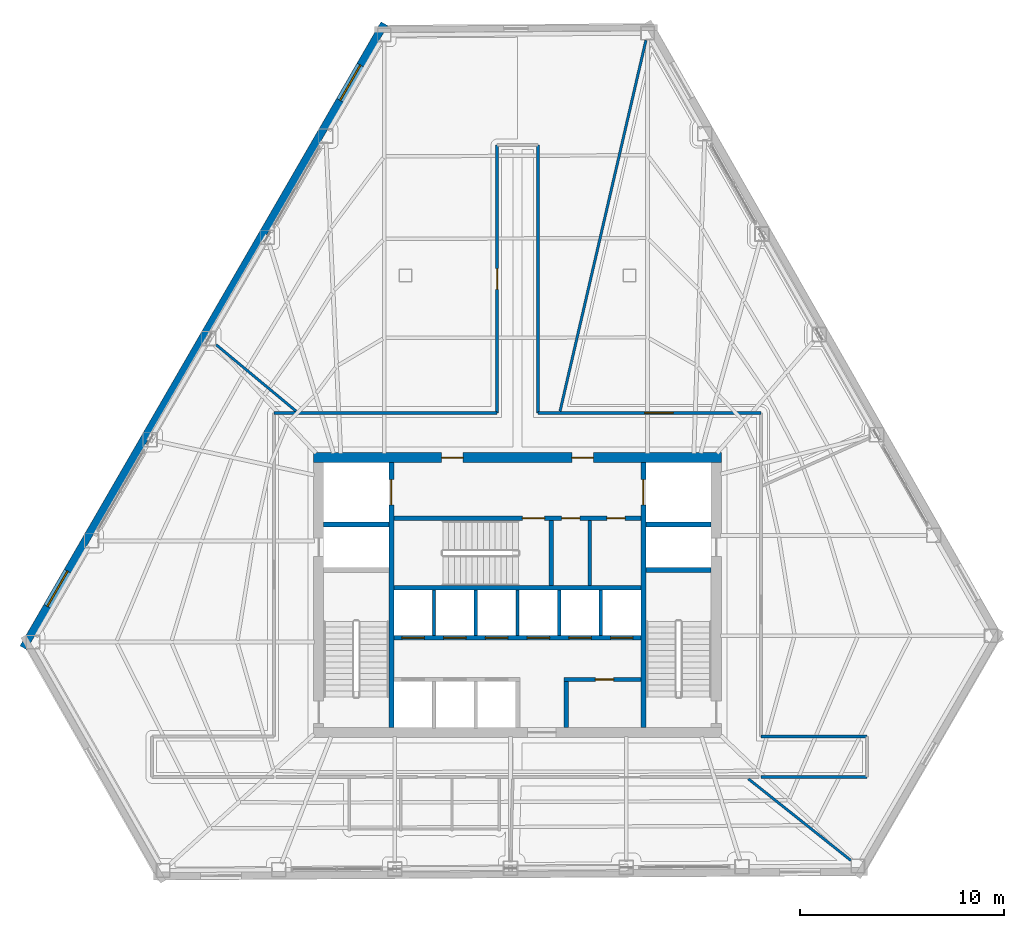
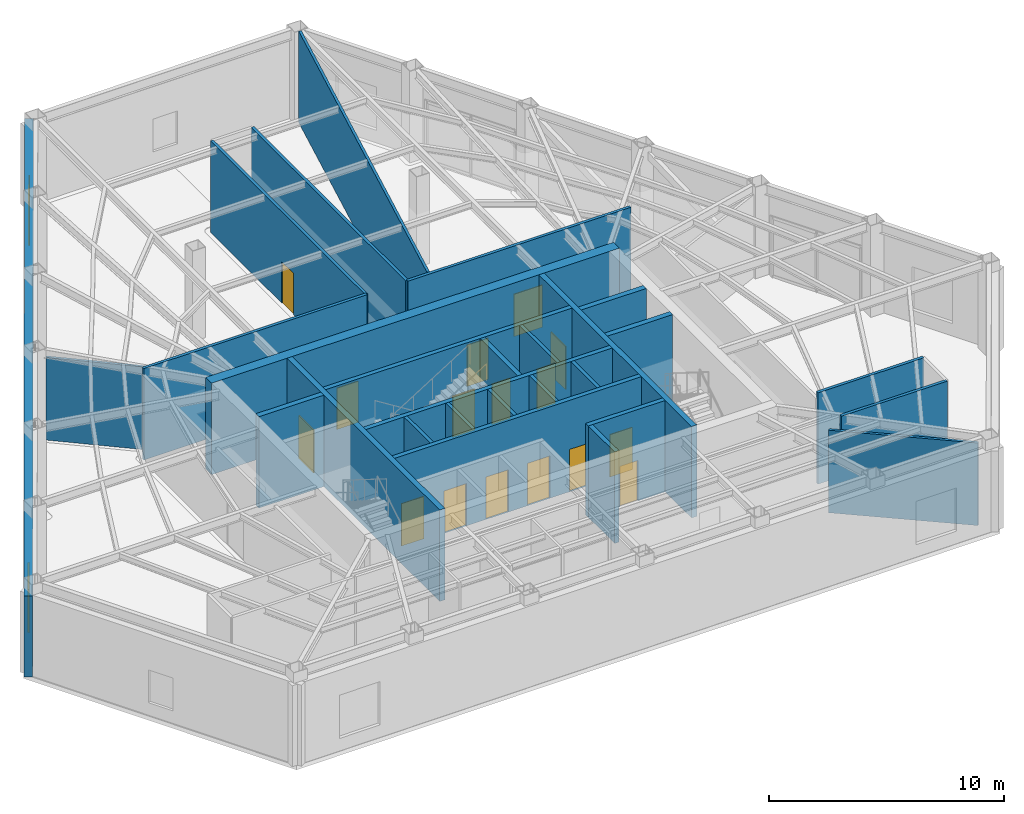
# One storey, part 10 of 14: 28 walls, 16 doors, 2 windows, 18 openings.
"""IFC4 building model written with IfcOpenShell, lengths in metres."""

from ifc_helpers import new_model, si_unit, direction, frame, frame_2d, origin, place, context, subcontext, project, spatial, rectangle, extrude, material, layer, layer_set, type_object, element, fill, save


model = new_model("IFC4")

# Units and contexts
model_context = context("Model", 3, precision=1e-05, world=origin(), true_north=direction((0.0, 1.0)))
body_context = subcontext(model_context, "Body", "Model", "MODEL_VIEW")
ifc_project = project(units=[si_unit("LENGTHUNIT", "METRE"), si_unit("AREAUNIT", "SQUARE_METRE"), si_unit("VOLUMEUNIT", "CUBIC_METRE"), si_unit("PLANEANGLEUNIT", "RADIAN"), si_unit("MASSUNIT", "GRAM", prefix="KILO")], contexts=[model_context])

# Site, building, storey
site_placement = place(None, origin())
site = spatial("IfcSite", under=ifc_project, at=site_placement, CompositionType="ELEMENT")
building_placement = place(site_placement, origin())
building = spatial("IfcBuilding", under=site, at=building_placement, Name="Kavelnor Concourse Tower", CompositionType="ELEMENT")
storey_placement = place(building_placement, frame((0.0, 0.0, 80.5)))
storey = spatial("IfcBuildingStorey", under=building, at=storey_placement, Name="L20", CompositionType="ELEMENT", Elevation=80.5)

# Wall, openings, doors
ifc_material_1 = material(Name="Concrete C60/75", Category="concrete")
ifc_layer_1 = layer(ifc_material_1, 0.5, Name="Concrete C60/75")
ifc_layer_set_1 = layer_set([ifc_layer_1], Name="Concrete C60/75")
wall_type_1 = type_object("IfcWallType", Name="WL-CORE-Z2-500", PredefinedType="SOLIDWALL", material=ifc_layer_set_1)
wall_1_placement = place(storey_placement, frame((27.97998046875, 22.85009765625, 0.0), z_axis=(0.0, 0.0, 1.0), x_axis=(1.0, 0.0, 0.0)))
wall_1 = element("IfcWall", 1, at=wall_1_placement, inside=storey, type_object=wall_type_1, Name="L20 Central Core North Shear Wall", PredefinedType="SOLIDWALL", context=body_context, shape_type="SweptSolid", body=[
    extrude(rectangle(XDim=20.0400390625, YDim=0.5, at=frame_2d((10.02001953125, 0.0))), origin(), (0.0, 0.0, 1.0), 4.75),
])
opening_1_placement = place(wall_1_placement, frame((6.294921875, 0.0, 0.0)))
opening_1 = element("IfcOpeningElement", 2, at=opening_1_placement, cuts=wall_1, Name="Opening FD-105", PredefinedType="OPENING", context=body_context, shape_type="SweptSolid", body=[
    extrude(rectangle(XDim=1.050048828125, YDim=2.14990234375, at=frame_2d((0.52490234375, 1.074951171875))), frame((0.0, 0.260009765625, 0.0), z_axis=(0.0, -1.0, 0.0), x_axis=(1.0, 0.0, 0.0)), (0.0, 0.0, 1.0), 0.52001953125),
])
opening_2_placement = place(wall_1_placement, frame((12.695068359375, 0.0, 0.0)))
opening_2 = element("IfcOpeningElement", 3, at=opening_2_placement, cuts=wall_1, Name="Opening FD-105", PredefinedType="OPENING", context=body_context, shape_type="SweptSolid", body=[
    extrude(rectangle(XDim=1.050048828125, YDim=2.14990234375, at=frame_2d((0.52490234375, 1.074951171875))), frame((0.0, 0.260009765625, 0.0), z_axis=(0.0, -1.0, 0.0), x_axis=(1.0, 0.0, 0.0)), (0.0, 0.0, 1.0), 0.52001953125),
])
ifc_material_2 = material(Name="Steel Grade 350", Category="steel")
door_type_1 = type_object("IfcDoorType", Name="DR-LOBBY-FIRE-1050", OperationType="NOTDEFINED", PredefinedType="DOOR", material=ifc_material_2)
door_1_placement = place(opening_1_placement, origin())
door_1 = element("IfcDoor", 4, at=door_1_placement, inside=storey, type_object=door_type_1, Name="L20 Emergency Lift Lobby West Door", OperationType="SINGLE_SWING_LEFT", OverallHeight=2.14990234375, OverallWidth=1.050048828125, PredefinedType="DOOR", context=body_context, shape_type="SweptSolid", body=[
    extrude(rectangle(XDim=1.050048828125, YDim=2.14990234375, at=frame_2d((0.52490234375, 1.074951171875))), frame((0.0, 0.02490234375, 0.0), z_axis=(0.0, -1.0, 0.0), x_axis=(1.0, 0.0, 0.0)), (0.0, 0.0, 1.0), 0.050048828125),
])
fill(opening_1, door_1)
door_2_placement = place(opening_2_placement, origin())
door_2 = element("IfcDoor", 5, at=door_2_placement, inside=storey, type_object=door_type_1, Name="L20 Emergency Lift Lobby East Door", OperationType="SINGLE_SWING_RIGHT", OverallHeight=2.14990234375, OverallWidth=1.050048828125, PredefinedType="DOOR", context=body_context, shape_type="SweptSolid", body=[
    extrude(rectangle(XDim=1.050048828125, YDim=2.14990234375, at=frame_2d((0.52490234375, 1.074951171875))), frame((0.0, 0.02490234375, 0.0), z_axis=(0.0, -1.0, 0.0), x_axis=(1.0, 0.0, 0.0)), (0.0, 0.0, 1.0), 0.050048828125),
])
fill(opening_2, door_2)

# Wall, openings, windows
ifc_material_3 = material(Name="Red-ochre clay face brick masonry", Category="masonry")
ifc_layer_2 = layer(ifc_material_3, 0.3798828125, Name="Red-ochre clay face brick masonry")
ifc_layer_set_2 = layer_set([ifc_layer_2], Name="Red-ochre clay face brick masonry")
wall_type_2 = type_object("IfcWallType", Name="WL-EXT-RED-BRICK-PIER-380", PredefinedType="STANDARD", material=ifc_layer_set_2)
wall_2_placement = place(storey_placement, frame((13.7236328125, 13.509521484375, 0.0), z_axis=(0.0, 0.0, 1.0), x_axis=(0.500779221595, 0.865575052331, 0.0)))
wall_2 = element("IfcWall", 6, at=wall_2_placement, inside=storey, type_object=wall_type_2, Name="L20 Exterior Brick Facade Wall E1", PredefinedType="STANDARD", context=body_context, shape_type="SweptSolid", body=[
    extrude(rectangle(XDim=35.4208984375, YDim=0.3798828125, at=frame_2d((17.71044921875, 0.0))), origin(), (0.0, 0.0, 1.0), 4.208984375),
])
opening_3_placement = place(wall_2_placement, frame((31.073486328125, 0.0, 0.64990234375)))
opening_3 = element("IfcOpeningElement", 7, at=opening_3_placement, cuts=wall_2, Name="Opening W-07", PredefinedType="OPENING", context=body_context, shape_type="SweptSolid", body=[
    extrude(rectangle(XDim=2.0, YDim=2.25, at=frame_2d((1.0, 1.125))), frame((0.0, 0.199951171875, 0.0), z_axis=(0.0, -1.0, 0.0), x_axis=(1.0, 0.0, 0.0)), (0.0, 0.0, 1.0), 0.39990234375),
])
opening_4_placement = place(wall_2_placement, frame((2.34814453125, 0.0, 0.64990234375)))
opening_4 = element("IfcOpeningElement", 8, at=opening_4_placement, cuts=wall_2, Name="Opening W-07", PredefinedType="OPENING", context=body_context, shape_type="SweptSolid", body=[
    extrude(rectangle(XDim=2.0, YDim=2.25, at=frame_2d((1.0, 1.125))), frame((0.0, 0.199951171875, 0.0), z_axis=(0.0, -1.0, 0.0), x_axis=(1.0, 0.0, 0.0)), (0.0, 0.0, 1.0), 0.39990234375),
])
ifc_material_4 = material(Name="Double low-E argon insulated glazing", Category="glass")
window_type = type_object("IfcWindowType", Name="WIN-SKYLOBBY-2200", PartitioningType="SINGLE_PANEL", PredefinedType="WINDOW", material=ifc_material_4)
window_1_placement = place(opening_3_placement, origin())
window_1 = element("IfcWindow", 9, at=window_1_placement, inside=storey, type_object=window_type, Name="L20 Deep-Set Brick Pier Window F0-B0", OverallHeight=2.25, OverallWidth=2.0, PartitioningType="SINGLE_PANEL", PredefinedType="WINDOW", context=body_context, shape_type="SweptSolid", body=[
    extrude(rectangle(XDim=2.0, YDim=2.25, at=frame_2d((1.0, 1.125))), frame((0.0, 0.030029296875, 0.0), z_axis=(0.0, -1.0, 0.0), x_axis=(1.0, 0.0, 0.0)), (0.0, 0.0, 1.0), 0.06005859375),
])
fill(opening_3, window_1)
window_2_placement = place(opening_4_placement, origin())
window_2 = element("IfcWindow", 10, at=window_2_placement, inside=storey, type_object=window_type, Name="L20 Deep-Set Brick Pier Window F0-B5", OverallHeight=2.25, OverallWidth=2.0, PartitioningType="SINGLE_PANEL", PredefinedType="WINDOW", context=body_context, shape_type="SweptSolid", body=[
    extrude(rectangle(XDim=2.0, YDim=2.25, at=frame_2d((1.0, 1.125))), frame((0.0, 0.030029296875, 0.0), z_axis=(0.0, -1.0, 0.0), x_axis=(1.0, 0.0, 0.0)), (0.0, 0.0, 1.0), 0.06005859375),
])
fill(opening_4, window_2)

# Wall
ifc_material_5 = material(Name="Gypsum plasterboard on light-gauge steel studs", Category="steel")
ifc_layer_3 = layer(ifc_material_5, 0.14501953125, Name="Gypsum plasterboard on light-gauge steel studs")
ifc_layer_set_3 = layer_set([ifc_layer_3], Name="Gypsum plasterboard on light-gauge steel studs")
wall_type_3 = type_object("IfcWallType", Name="WL-INT-CORR-145", PredefinedType="PARTITIONING", material=ifc_layer_set_3)
wall_3_placement = place(storey_placement, frame((26.030029296875, 25.050048828125, 0.0), z_axis=(0.0, 0.0, 1.0), x_axis=(1.0, 0.0, 0.0)))
element("IfcWall", 11, at=wall_3_placement, inside=storey, type_object=wall_type_3, Name="L20 Corridor Wall WL-L20-CR-03", PredefinedType="PARTITIONING", context=body_context, shape_type="SweptSolid", body=[
    extrude(rectangle(XDim=10.969970703125, YDim=0.14501953125, at=frame_2d((5.48486328125, 0.0))), origin(), (0.0, 0.0, 1.0), 4.75),
])

# Wall, opening, door
wall_4_placement = place(storey_placement, frame((37.0, 25.050048828125, 0.0), z_axis=(0.0, 0.0, 1.0), x_axis=(0.0, 1.0, 0.0)))
wall_4 = element("IfcWall", 12, at=wall_4_placement, inside=storey, type_object=wall_type_3, Name="L20 Corridor Wall WL-L20-CR-04", PredefinedType="PARTITIONING", context=body_context, shape_type="SweptSolid", body=[
    extrude(rectangle(XDim=13.14990234375, YDim=0.14501953125, at=frame_2d((6.574951171875, 0.0))), origin(), (0.0, 0.0, 1.0), 4.75),
])
opening_5_placement = place(wall_4_placement, frame((6.06494140625, 0.0, 0.0)))
opening_5 = element("IfcOpeningElement", 13, at=opening_5_placement, cuts=wall_4, Name="Opening MD-102", PredefinedType="OPENING", context=body_context, shape_type="SweptSolid", body=[
    extrude(rectangle(XDim=1.02001953125, YDim=2.14990234375, at=frame_2d((0.510009765625, 1.074951171875))), frame((0.0, 0.08251953125, 0.0), z_axis=(0.0, -1.0, 0.0), x_axis=(1.0, 0.0, 0.0)), (0.0, 0.0, 1.0), 0.1650390625),
])
ifc_material_6 = material(Name="Acoustic glazed timber frame", Category="wood")
door_type_2 = type_object("IfcDoorType", Name="DR-MEETING-1020", OperationType="NOTDEFINED", PredefinedType="DOOR", material=ifc_material_6)
door_3_placement = place(opening_5_placement, origin())
door_3 = element("IfcDoor", 14, at=door_3_placement, inside=storey, type_object=door_type_2, Name="L20 Sky Conference Meeting Suite 02 Door", OperationType="SINGLE_SWING_LEFT", OverallHeight=2.14990234375, OverallWidth=1.02001953125, PredefinedType="DOOR", context=body_context, shape_type="SweptSolid", body=[
    extrude(rectangle(XDim=1.02001953125, YDim=2.14990234375, at=frame_2d((0.510009765625, 1.074951171875))), frame((0.0, 0.02490234375, 0.0), z_axis=(0.0, -1.0, 0.0), x_axis=(1.0, 0.0, 0.0)), (0.0, 0.0, 1.0), 0.050048828125),
])
fill(opening_5, door_3)

# Wall
wall_5_placement = place(storey_placement, frame((39.0, 38.199951171875, 0.0), z_axis=(0.0, 0.0, 1.0), x_axis=(0.0, -1.0, 0.0)))
element("IfcWall", 15, at=wall_5_placement, inside=storey, type_object=wall_type_3, Name="L20 Corridor Wall WL-L20-CR-06", PredefinedType="PARTITIONING", context=body_context, shape_type="SweptSolid", body=[
    extrude(rectangle(XDim=13.14990234375, YDim=0.14501953125, at=frame_2d((6.574951171875, 0.0))), origin(), (0.0, 0.0, 1.0), 4.75),
])

# Wall, opening, door
wall_6_placement = place(storey_placement, frame((39.0, 25.050048828125, 0.0), z_axis=(0.0, 0.0, 1.0), x_axis=(1.0, 0.0, 0.0)))
wall_6 = element("IfcWall", 16, at=wall_6_placement, inside=storey, type_object=wall_type_3, Name="L20 Corridor Wall WL-L20-CR-07", PredefinedType="PARTITIONING", context=body_context, shape_type="SweptSolid", body=[
    extrude(rectangle(XDim=10.969970703125, YDim=0.14501953125, at=frame_2d((5.48486328125, 0.0))), origin(), (0.0, 0.0, 1.0), 4.75),
])
opening_6_placement = place(wall_6_placement, frame((5.24609375, 0.0, 0.0)))
opening_6 = element("IfcOpeningElement", 17, at=opening_6_placement, cuts=wall_6, Name="Opening SD-140", PredefinedType="OPENING", context=body_context, shape_type="SweptSolid", body=[
    extrude(rectangle(XDim=1.39990234375, YDim=2.199951171875, at=frame_2d((0.699951171875, 1.10009765625))), frame((0.0, 0.08251953125, 0.0), z_axis=(0.0, -1.0, 0.0), x_axis=(1.0, 0.0, 0.0)), (0.0, 0.0, 1.0), 0.1650390625),
])
ifc_material_7 = material(Name="Solid-core hardwood timber", Category="wood")
door_type_3 = type_object("IfcDoorType", Name="DR-SUITE-ENTRY-1400", OperationType="NOTDEFINED", PredefinedType="DOOR", material=ifc_material_7)
door_4_placement = place(opening_6_placement, origin())
door_4 = element("IfcDoor", 18, at=door_4_placement, inside=storey, type_object=door_type_3, Name="L20 Sky Lobby Reception Foyer 01 Door", OperationType="SINGLE_SWING_RIGHT", OverallHeight=2.199951171875, OverallWidth=1.39990234375, PredefinedType="DOOR", context=body_context, shape_type="SweptSolid", body=[
    extrude(rectangle(XDim=1.39990234375, YDim=2.199951171875, at=frame_2d((0.699951171875, 1.10009765625))), frame((0.0, 0.02490234375, 0.0), z_axis=(0.0, -1.0, 0.0), x_axis=(1.0, 0.0, 0.0)), (0.0, 0.0, 1.0), 0.050048828125),
])
fill(opening_6, door_4)

# Walls
for number, where, z_axis, x_axis, name in (
    (19, (49.969970703125, 9.14990234375, 0.0), (0.0, 0.0, 1.0), (1.0, 0.0, 0.0), "L20 Corridor Wall WL-L20-CR-09"),
    (20, (55.181884765625, 7.14990234375, 0.0), (0.0, 0.0, 1.0), (-1.0, 0.0, 0.0), "L20 Corridor Wall WL-L20-CR-11"),
):
    element("IfcWall", number, at=place(storey_placement, frame(where, z_axis=z_axis, x_axis=x_axis)), inside=storey, type_object=wall_type_3, Name=name, PredefinedType="PARTITIONING", context=body_context, shape_type="SweptSolid", body=[
        extrude(rectangle(XDim=5.2119140625, YDim=0.14501953125, at=frame_2d((2.60595703125, 0.0))), origin(), (0.0, 0.0, 1.0), 4.75),
    ])
ifc_layer_4 = layer(ifc_material_5, 0.1650390625, Name="Gypsum plasterboard on light-gauge steel studs")
ifc_layer_set_4 = layer_set([ifc_layer_4], Name="Gypsum plasterboard on light-gauge steel studs")
wall_type_4 = type_object("IfcWallType", Name="WL-INT-FIRE-165", PredefinedType="PARTITIONING", material=ifc_layer_set_4)
for number, where, z_axis, x_axis, name in (
    (21, (33.89990234375, 14.10009765625, 0.0), (0.0, 0.0, 1.0), (0.0, 1.0, 0.0), "L20 Lift Shaft Divider LP1"),
    (22, (35.949951171875, 14.10009765625, 0.0), (0.0, 0.0, 1.0), (0.0, 1.0, 0.0), "L20 Lift Shaft Divider LP2"),
    (23, (38.0, 14.10009765625, 0.0), (0.0, 0.0, 1.0), (0.0, 1.0, 0.0), "L20 Lift Shaft Divider LP3"),
    (24, (40.050048828125, 14.10009765625, 0.0), (0.0, 0.0, 1.0), (0.0, 1.0, 0.0), "L20 Lift Shaft Divider LP4"),
    (25, (42.10009765625, 14.10009765625, 0.0), (0.0, 0.0, 1.0), (0.0, 1.0, 0.0), "L20 Lift Shaft Divider LP5"),
):
    element("IfcWall", number, at=place(storey_placement, frame(where, z_axis=z_axis, x_axis=x_axis)), inside=storey, type_object=wall_type_4, Name=name, PredefinedType="PARTITIONING", context=body_context, shape_type="SweptSolid", body=[
        extrude(rectangle(XDim=2.239990234375, YDim=0.1650390625, at=frame_2d((1.1201171875, 0.0))), origin(), (0.0, 0.0, 1.0), 4.75),
    ])
wall_7_placement = place(storey_placement, frame((41.550048828125, 16.56005859375, 0.0), z_axis=(0.0, 0.0, 1.0), x_axis=(0.0, 1.0, 0.0)))
element("IfcWall", 26, at=wall_7_placement, inside=storey, type_object=wall_type_4, Name="L20 Core North Support Divider", PredefinedType="PARTITIONING", context=body_context, shape_type="SweptSolid", body=[
    extrude(rectangle(XDim=3.199951171875, YDim=0.1650390625, at=frame_2d((1.60009765625, 0.0))), origin(), (0.0, 0.0, 1.0), 4.75),
])
ifc_layer_5 = layer(ifc_material_5, 0.125, Name="Gypsum plasterboard on light-gauge steel studs")
ifc_layer_set_5 = layer_set([ifc_layer_5], Name="Gypsum plasterboard on light-gauge steel studs")
wall_type_5 = type_object("IfcWallType", Name="WL-INT-SUITE-125", PredefinedType="PARTITIONING", material=ifc_layer_set_5)
wall_8_placement = place(storey_placement, frame((40.091064453125, 25.130615234375, 0.0), z_axis=(0.0, 0.0, 1.0), x_axis=(0.225578020125, 0.974225105834, 0.0)))
element("IfcWall", 27, at=wall_8_placement, inside=storey, type_object=wall_type_5, Name="L20 Radial Suite Partition 02", PredefinedType="PARTITIONING", context=body_context, shape_type="SweptSolid", body=[
    extrude(rectangle(XDim=18.70947265625, YDim=0.125, at=frame_2d((9.354736328125, 0.0))), origin(), (0.0, 0.0, 1.0), 4.75),
])
wall_9_placement = place(storey_placement, frame((27.12890625, 25.130615234375, 0.0), z_axis=(0.0, 0.0, 1.0), x_axis=(-0.769233686847, 0.638967553964, 0.0)))
element("IfcWall", 28, at=wall_9_placement, inside=storey, type_object=wall_type_5, Name="L20 Radial Suite Partition 03", PredefinedType="PARTITIONING", context=body_context, shape_type="SweptSolid", body=[
    extrude(rectangle(XDim=5.114501953125, YDim=0.125, at=frame_2d((2.55712890625, 0.0))), origin(), (0.0, 0.0, 1.0), 4.291015625),
])
wall_10_placement = place(storey_placement, frame((49.343994140625, 7.069580078125, 0.0), z_axis=(0.0, 0.0, 1.0), x_axis=(0.782366462382, -0.622818367215, 0.0)))
element("IfcWall", 29, at=wall_10_placement, inside=storey, type_object=wall_type_5, Name="L20 Radial Suite Partition 05", PredefinedType="PARTITIONING", context=body_context, shape_type="SweptSolid", body=[
    extrude(rectangle(XDim=6.431396484375, YDim=0.125, at=frame_2d((3.2158203125, 0.0))), origin(), (0.0, 0.0, 1.0), 4.291015625),
])

# Wall, openings, doors
ifc_material_8 = material(Name="Concrete C50/60", Category="concrete")
ifc_layer_6 = layer(ifc_material_8, 0.219970703125, Name="Concrete C50/60")
ifc_layer_set_6 = layer_set([ifc_layer_6], Name="Concrete C50/60")
wall_type_6 = type_object("IfcWallType", Name="WL-SHAFT-220", PredefinedType="SOLIDWALL", material=ifc_layer_set_6)
wall_11_placement = place(storey_placement, frame((31.93994140625, 19.8701171875, 0.0), z_axis=(0.0, 0.0, 1.0), x_axis=(1.0, 0.0, 0.0)))
wall_11 = element("IfcWall", 30, at=wall_11_placement, inside=storey, type_object=wall_type_6, Name="L20 Emergency Lift Lobby South Wall", PredefinedType="SOLIDWALL", context=body_context, shape_type="SweptSolid", body=[
    extrude(rectangle(XDim=12.1201171875, YDim=0.219970703125, at=frame_2d((6.06005859375, 0.0))), origin(), (0.0, 0.0, 1.0), 4.75),
])
opening_7_placement = place(wall_11_placement, frame((6.300048828125, 0.0, 0.0)))
opening_7 = element("IfcOpeningElement", 31, at=opening_7_placement, cuts=wall_11, Name="Opening FD-110", PredefinedType="OPENING", context=body_context, shape_type="SweptSolid", body=[
    extrude(rectangle(XDim=1.10009765625, YDim=2.14990234375, at=frame_2d((0.550048828125, 1.074951171875))), frame((0.0, 0.1201171875, 0.0), z_axis=(0.0, -1.0, 0.0), x_axis=(1.0, 0.0, 0.0)), (0.0, 0.0, 1.0), 0.239990234375),
])
opening_8_placement = place(wall_11_placement, frame((8.22998046875, 0.0, 0.0)))
opening_8 = element("IfcOpeningElement", 32, at=opening_8_placement, cuts=wall_11, Name="Opening FD-090", PredefinedType="OPENING", context=body_context, shape_type="SweptSolid", body=[
    extrude(rectangle(XDim=0.89990234375, YDim=2.10009765625, at=frame_2d((0.449951171875, 1.050048828125))), frame((0.0, 0.1201171875, 0.0), z_axis=(0.0, -1.0, 0.0), x_axis=(1.0, 0.0, 0.0)), (0.0, 0.0, 1.0), 0.239990234375),
])
opening_9_placement = place(wall_11_placement, frame((10.449951171875, 0.0, 0.0)))
opening_9 = element("IfcOpeningElement", 33, at=opening_9_placement, cuts=wall_11, Name="Opening FD-090", PredefinedType="OPENING", context=body_context, shape_type="SweptSolid", body=[
    extrude(rectangle(XDim=0.89990234375, YDim=2.10009765625, at=frame_2d((0.449951171875, 1.050048828125))), frame((0.0, 0.1201171875, 0.0), z_axis=(0.0, -1.0, 0.0), x_axis=(1.0, 0.0, 0.0)), (0.0, 0.0, 1.0), 0.239990234375),
])
door_type_4 = type_object("IfcDoorType", Name="DR-RISER-FIRE-900", OperationType="NOTDEFINED", PredefinedType="DOOR", material=ifc_material_2)
door_5_placement = place(opening_8_placement, origin())
door_5 = element("IfcDoor", 34, at=door_5_placement, inside=storey, type_object=door_type_4, Name="L20 Telecom Room Door", OperationType="SINGLE_SWING_LEFT", OverallHeight=2.10009765625, OverallWidth=0.89990234375, PredefinedType="DOOR", context=body_context, shape_type="SweptSolid", body=[
    extrude(rectangle(XDim=0.89990234375, YDim=2.10009765625, at=frame_2d((0.449951171875, 1.050048828125))), frame((0.0, 0.02490234375, 0.0), z_axis=(0.0, -1.0, 0.0), x_axis=(1.0, 0.0, 0.0)), (0.0, 0.0, 1.0), 0.050048828125),
])
fill(opening_8, door_5)
door_6_placement = place(opening_9_placement, origin())
door_6 = element("IfcDoor", 35, at=door_6_placement, inside=storey, type_object=door_type_4, Name="L20 Janitor Store Door", OperationType="SINGLE_SWING_RIGHT", OverallHeight=2.10009765625, OverallWidth=0.89990234375, PredefinedType="DOOR", context=body_context, shape_type="SweptSolid", body=[
    extrude(rectangle(XDim=0.89990234375, YDim=2.10009765625, at=frame_2d((0.449951171875, 1.050048828125))), frame((0.0, 0.02490234375, 0.0), z_axis=(0.0, -1.0, 0.0), x_axis=(1.0, 0.0, 0.0)), (0.0, 0.0, 1.0), 0.050048828125),
])
fill(opening_9, door_6)
door_type_5 = type_object("IfcDoorType", Name="DR-STAIR-FIRE-1100", OperationType="NOTDEFINED", PredefinedType="DOOR", material=ifc_material_2)
door_7_placement = place(opening_7_placement, origin())
door_7 = element("IfcDoor", 36, at=door_7_placement, inside=storey, type_object=door_type_5, Name="L20 Stair ST3 Fire Door", OperationType="SINGLE_SWING_LEFT", OverallHeight=2.14990234375, OverallWidth=1.10009765625, PredefinedType="DOOR", context=body_context, shape_type="SweptSolid", body=[
    extrude(rectangle(XDim=1.10009765625, YDim=2.14990234375, at=frame_2d((0.550048828125, 1.074951171875))), frame((0.0, 0.02490234375, 0.0), z_axis=(0.0, -1.0, 0.0), x_axis=(1.0, 0.0, 0.0)), (0.0, 0.0, 1.0), 0.050048828125),
])
fill(opening_7, door_7)

# Walls
wall_12_placement = place(storey_placement, frame((31.93994140625, 16.449951171875, 0.0), z_axis=(0.0, 0.0, 1.0), x_axis=(1.0, 0.0, 0.0)))
element("IfcWall", 37, at=wall_12_placement, inside=storey, type_object=wall_type_6, Name="L20 Stair ST3 South Core Wall", PredefinedType="SOLIDWALL", context=body_context, shape_type="SweptSolid", body=[
    extrude(rectangle(XDim=12.1201171875, YDim=0.219970703125, at=frame_2d((6.06005859375, 0.0))), origin(), (0.0, 0.0, 1.0), 4.75),
])
wall_13_placement = place(storey_placement, frame((39.64990234375, 16.56005859375, 0.0), z_axis=(0.0, 0.0, 1.0), x_axis=(0.0, 1.0, 0.0)))
element("IfcWall", 38, at=wall_13_placement, inside=storey, type_object=wall_type_6, Name="L20 Stair ST3 East Core Wall", PredefinedType="SOLIDWALL", context=body_context, shape_type="SweptSolid", body=[
    extrude(rectangle(XDim=3.199951171875, YDim=0.219970703125, at=frame_2d((1.60009765625, 0.0))), origin(), (0.0, 0.0, 1.0), 4.75),
])

# Wall, openings, doors
wall_14_placement = place(storey_placement, frame((31.93994140625, 13.989990234375, 0.0), z_axis=(0.0, 0.0, 1.0), x_axis=(1.0, 0.0, 0.0)))
wall_14 = element("IfcWall", 39, at=wall_14_placement, inside=storey, type_object=wall_type_6, Name="L20 North Lift Row Shaft Wall", PredefinedType="SOLIDWALL", context=body_context, shape_type="SweptSolid", body=[
    extrude(rectangle(XDim=12.1201171875, YDim=0.219970703125, at=frame_2d((6.06005859375, 0.0))), origin(), (0.0, 0.0, 1.0), 4.75),
])
opening_10_placement = place(wall_14_placement, frame((0.385009765625, 0.0, 0.0)))
opening_10 = element("IfcOpeningElement", 40, at=opening_10_placement, cuts=wall_14, Name="Opening LD-110", PredefinedType="OPENING", context=body_context, shape_type="SweptSolid", body=[
    extrude(rectangle(XDim=1.10009765625, YDim=2.199951171875, at=frame_2d((0.550048828125, 1.10009765625))), frame((0.0, 0.1201171875, 0.0), z_axis=(0.0, -1.0, 0.0), x_axis=(1.0, 0.0, 0.0)), (0.0, 0.0, 1.0), 0.239990234375),
])
opening_11_placement = place(wall_14_placement, frame((2.43505859375, 0.0, 0.0)))
opening_11 = element("IfcOpeningElement", 41, at=opening_11_placement, cuts=wall_14, Name="Opening LD-110", PredefinedType="OPENING", context=body_context, shape_type="SweptSolid", body=[
    extrude(rectangle(XDim=1.10009765625, YDim=2.199951171875, at=frame_2d((0.550048828125, 1.10009765625))), frame((0.0, 0.1201171875, 0.0), z_axis=(0.0, -1.0, 0.0), x_axis=(1.0, 0.0, 0.0)), (0.0, 0.0, 1.0), 0.239990234375),
])
opening_12_placement = place(wall_14_placement, frame((4.485107421875, 0.0, 0.0)))
opening_12 = element("IfcOpeningElement", 42, at=opening_12_placement, cuts=wall_14, Name="Opening LD-110", PredefinedType="OPENING", context=body_context, shape_type="SweptSolid", body=[
    extrude(rectangle(XDim=1.10009765625, YDim=2.199951171875, at=frame_2d((0.550048828125, 1.10009765625))), frame((0.0, 0.1201171875, 0.0), z_axis=(0.0, -1.0, 0.0), x_axis=(1.0, 0.0, 0.0)), (0.0, 0.0, 1.0), 0.239990234375),
])
opening_13_placement = place(wall_14_placement, frame((6.534912109375, 0.0, 0.0)))
opening_13 = element("IfcOpeningElement", 43, at=opening_13_placement, cuts=wall_14, Name="Opening LD-110", PredefinedType="OPENING", context=body_context, shape_type="SweptSolid", body=[
    extrude(rectangle(XDim=1.10009765625, YDim=2.199951171875, at=frame_2d((0.550048828125, 1.10009765625))), frame((0.0, 0.1201171875, 0.0), z_axis=(0.0, -1.0, 0.0), x_axis=(1.0, 0.0, 0.0)), (0.0, 0.0, 1.0), 0.239990234375),
])
opening_14_placement = place(wall_14_placement, frame((8.5849609375, 0.0, 0.0)))
opening_14 = element("IfcOpeningElement", 44, at=opening_14_placement, cuts=wall_14, Name="Opening LD-110", PredefinedType="OPENING", context=body_context, shape_type="SweptSolid", body=[
    extrude(rectangle(XDim=1.10009765625, YDim=2.199951171875, at=frame_2d((0.550048828125, 1.10009765625))), frame((0.0, 0.1201171875, 0.0), z_axis=(0.0, -1.0, 0.0), x_axis=(1.0, 0.0, 0.0)), (0.0, 0.0, 1.0), 0.239990234375),
])
opening_15_placement = place(wall_14_placement, frame((10.635009765625, 0.0, 0.0)))
opening_15 = element("IfcOpeningElement", 45, at=opening_15_placement, cuts=wall_14, Name="Opening LD-110", PredefinedType="OPENING", context=body_context, shape_type="SweptSolid", body=[
    extrude(rectangle(XDim=1.10009765625, YDim=2.199951171875, at=frame_2d((0.550048828125, 1.10009765625))), frame((0.0, 0.1201171875, 0.0), z_axis=(0.0, -1.0, 0.0), x_axis=(1.0, 0.0, 0.0)), (0.0, 0.0, 1.0), 0.239990234375),
])
door_type_6 = type_object("IfcDoorType", Name="DR-LIFT-SLIDING-1100", OperationType="NOTDEFINED", PredefinedType="DOOR", material=ifc_material_2)
door_8_placement = place(opening_10_placement, origin())
door_8 = element("IfcDoor", 46, at=door_8_placement, inside=storey, type_object=door_type_6, Name="L20 Lift LP1 Landing Door", OperationType="DOUBLE_DOOR_SLIDING", OverallHeight=2.199951171875, OverallWidth=1.10009765625, PredefinedType="DOOR", context=body_context, shape_type="SweptSolid", body=[
    extrude(rectangle(XDim=1.10009765625, YDim=2.199951171875, at=frame_2d((0.550048828125, 1.10009765625))), frame((0.0, 0.02490234375, 0.0), z_axis=(0.0, -1.0, 0.0), x_axis=(1.0, 0.0, 0.0)), (0.0, 0.0, 1.0), 0.050048828125),
])
fill(opening_10, door_8)
door_9_placement = place(opening_11_placement, origin())
door_9 = element("IfcDoor", 47, at=door_9_placement, inside=storey, type_object=door_type_6, Name="L20 Lift LP2 Landing Door", OperationType="DOUBLE_DOOR_SLIDING", OverallHeight=2.199951171875, OverallWidth=1.10009765625, PredefinedType="DOOR", context=body_context, shape_type="SweptSolid", body=[
    extrude(rectangle(XDim=1.10009765625, YDim=2.199951171875, at=frame_2d((0.550048828125, 1.10009765625))), frame((0.0, 0.02490234375, 0.0), z_axis=(0.0, -1.0, 0.0), x_axis=(1.0, 0.0, 0.0)), (0.0, 0.0, 1.0), 0.050048828125),
])
fill(opening_11, door_9)
door_10_placement = place(opening_12_placement, origin())
door_10 = element("IfcDoor", 48, at=door_10_placement, inside=storey, type_object=door_type_6, Name="L20 Lift LP3 Landing Door", OperationType="DOUBLE_DOOR_SLIDING", OverallHeight=2.199951171875, OverallWidth=1.10009765625, PredefinedType="DOOR", context=body_context, shape_type="SweptSolid", body=[
    extrude(rectangle(XDim=1.10009765625, YDim=2.199951171875, at=frame_2d((0.550048828125, 1.10009765625))), frame((0.0, 0.02490234375, 0.0), z_axis=(0.0, -1.0, 0.0), x_axis=(1.0, 0.0, 0.0)), (0.0, 0.0, 1.0), 0.050048828125),
])
fill(opening_12, door_10)
door_11_placement = place(opening_13_placement, origin())
door_11 = element("IfcDoor", 49, at=door_11_placement, inside=storey, type_object=door_type_6, Name="L20 Lift LP4 Landing Door", OperationType="DOUBLE_DOOR_SLIDING", OverallHeight=2.199951171875, OverallWidth=1.10009765625, PredefinedType="DOOR", context=body_context, shape_type="SweptSolid", body=[
    extrude(rectangle(XDim=1.10009765625, YDim=2.199951171875, at=frame_2d((0.550048828125, 1.10009765625))), frame((0.0, 0.02490234375, 0.0), z_axis=(0.0, -1.0, 0.0), x_axis=(1.0, 0.0, 0.0)), (0.0, 0.0, 1.0), 0.050048828125),
])
fill(opening_13, door_11)
door_12_placement = place(opening_14_placement, origin())
door_12 = element("IfcDoor", 50, at=door_12_placement, inside=storey, type_object=door_type_6, Name="L20 Lift LP5 Landing Door", OperationType="DOUBLE_DOOR_SLIDING", OverallHeight=2.199951171875, OverallWidth=1.10009765625, PredefinedType="DOOR", context=body_context, shape_type="SweptSolid", body=[
    extrude(rectangle(XDim=1.10009765625, YDim=2.199951171875, at=frame_2d((0.550048828125, 1.10009765625))), frame((0.0, 0.02490234375, 0.0), z_axis=(0.0, -1.0, 0.0), x_axis=(1.0, 0.0, 0.0)), (0.0, 0.0, 1.0), 0.050048828125),
])
fill(opening_14, door_12)
door_13_placement = place(opening_15_placement, origin())
door_13 = element("IfcDoor", 51, at=door_13_placement, inside=storey, type_object=door_type_6, Name="L20 Lift LP6 Landing Door", OperationType="DOUBLE_DOOR_SLIDING", OverallHeight=2.199951171875, OverallWidth=1.10009765625, PredefinedType="DOOR", context=body_context, shape_type="SweptSolid", body=[
    extrude(rectangle(XDim=1.10009765625, YDim=2.199951171875, at=frame_2d((0.550048828125, 1.10009765625))), frame((0.0, 0.02490234375, 0.0), z_axis=(0.0, -1.0, 0.0), x_axis=(1.0, 0.0, 0.0)), (0.0, 0.0, 1.0), 0.050048828125),
])
fill(opening_15, door_13)

# Wall, opening, door
wall_15_placement = place(storey_placement, frame((40.280029296875, 11.949951171875, 0.0), z_axis=(0.0, 0.0, 1.0), x_axis=(1.0, 0.0, 0.0)))
wall_15 = element("IfcWall", 52, at=wall_15_placement, inside=storey, type_object=wall_type_6, Name="L20 Core South Support North Wall", PredefinedType="SOLIDWALL", context=body_context, shape_type="SweptSolid", body=[
    extrude(rectangle(XDim=3.780029296875, YDim=0.219970703125, at=frame_2d((1.89013671875, 0.0))), origin(), (0.0, 0.0, 1.0), 4.75),
])
opening_16_placement = place(wall_15_placement, frame((1.550048828125, 0.0, 0.0)))
opening_16 = element("IfcOpeningElement", 53, at=opening_16_placement, cuts=wall_15, Name="Opening FD-090", PredefinedType="OPENING", context=body_context, shape_type="SweptSolid", body=[
    extrude(rectangle(XDim=0.89990234375, YDim=2.10009765625, at=frame_2d((0.449951171875, 1.050048828125))), frame((0.0, 0.1201171875, 0.0), z_axis=(0.0, -1.0, 0.0), x_axis=(1.0, 0.0, 0.0)), (0.0, 0.0, 1.0), 0.239990234375),
])
door_14_placement = place(opening_16_placement, origin())
door_14 = element("IfcDoor", 54, at=door_14_placement, inside=storey, type_object=door_type_4, Name="L20 BMS Metering Door", OperationType="SINGLE_SWING_RIGHT", OverallHeight=2.10009765625, OverallWidth=0.89990234375, PredefinedType="DOOR", context=body_context, shape_type="SweptSolid", body=[
    extrude(rectangle(XDim=0.89990234375, YDim=2.10009765625, at=frame_2d((0.449951171875, 1.050048828125))), frame((0.0, 0.02490234375, 0.0), z_axis=(0.0, -1.0, 0.0), x_axis=(1.0, 0.0, 0.0)), (0.0, 0.0, 1.0), 0.050048828125),
])
fill(opening_16, door_14)

# Wall
wall_16_placement = place(storey_placement, frame((40.389892578125, 9.60009765625, 0.0), z_axis=(0.0, 0.0, 1.0), x_axis=(0.0, 1.0, 0.0)))
element("IfcWall", 55, at=wall_16_placement, inside=storey, type_object=wall_type_6, Name="L20 Lift Lobby Throat East Wall", PredefinedType="SOLIDWALL", context=body_context, shape_type="SweptSolid", body=[
    extrude(rectangle(XDim=2.239990234375, YDim=0.219970703125, at=frame_2d((1.1201171875, 0.0))), origin(), (0.0, 0.0, 1.0), 4.75),
])

# Wall, opening, door
ifc_layer_7 = layer(ifc_material_8, 0.260009765625, Name="Concrete C50/60")
ifc_layer_set_7 = layer_set([ifc_layer_7], Name="Concrete C50/60")
wall_type_7 = type_object("IfcWallType", Name="WL-SHAFT-260", PredefinedType="SHEAR", material=ifc_layer_set_7)
wall_17_placement = place(storey_placement, frame((31.81005859375, 9.60009765625, 0.0), z_axis=(0.0, 0.0, 1.0), x_axis=(0.0, 1.0, 0.0)))
wall_17 = element("IfcWall", 56, at=wall_17_placement, inside=storey, type_object=wall_type_7, Name="L20 Core West Wing Shear Wall", PredefinedType="SHEAR", context=body_context, shape_type="SweptSolid", body=[
    extrude(rectangle(XDim=13.0, YDim=0.260009765625, at=frame_2d((6.5, 0.0))), origin(), (0.0, 0.0, 1.0), 4.75),
])
opening_17_placement = place(wall_17_placement, frame((10.925048828125, 0.0, 0.0)))
opening_17 = element("IfcOpeningElement", 57, at=opening_17_placement, cuts=wall_17, Name="Opening LD-125", PredefinedType="OPENING", context=body_context, shape_type="SweptSolid", body=[
    extrude(rectangle(XDim=1.25, YDim=2.25, at=frame_2d((0.625, 1.125))), frame((0.0, 0.14013671875, 0.0), z_axis=(0.0, -1.0, 0.0), x_axis=(1.0, 0.0, 0.0)), (0.0, 0.0, 1.0), 0.280029296875),
])
door_type_7 = type_object("IfcDoorType", Name="DR-LIFT-SLIDING-1250", OperationType="NOTDEFINED", PredefinedType="DOOR", material=ifc_material_2)
door_15_placement = place(opening_17_placement, origin())
door_15 = element("IfcDoor", 58, at=door_15_placement, inside=storey, type_object=door_type_7, Name="L20 Emergency Lift FL1 Landing Door", OperationType="DOUBLE_DOOR_SLIDING", OverallHeight=2.25, OverallWidth=1.25, PredefinedType="DOOR", context=body_context, shape_type="SweptSolid", body=[
    extrude(rectangle(XDim=1.25, YDim=2.25, at=frame_2d((0.625, 1.125))), frame((0.0, 0.02490234375, 0.0), z_axis=(0.0, -1.0, 0.0), x_axis=(1.0, 0.0, 0.0)), (0.0, 0.0, 1.0), 0.050048828125),
])
fill(opening_17, door_15)

wall_18_placement = place(storey_placement, frame((44.18994140625, 9.60009765625, 0.0), z_axis=(0.0, 0.0, 1.0), x_axis=(0.0, 1.0, 0.0)))
wall_18 = element("IfcWall", 59, at=wall_18_placement, inside=storey, type_object=wall_type_7, Name="L20 Core East Wing Shear Wall", PredefinedType="SHEAR", context=body_context, shape_type="SweptSolid", body=[
    extrude(rectangle(XDim=13.0, YDim=0.260009765625, at=frame_2d((6.5, 0.0))), origin(), (0.0, 0.0, 1.0), 4.75),
])
opening_18_placement = place(wall_18_placement, frame((10.925048828125, 0.0, 0.0)))
opening_18 = element("IfcOpeningElement", 60, at=opening_18_placement, cuts=wall_18, Name="Opening LD-125", PredefinedType="OPENING", context=body_context, shape_type="SweptSolid", body=[
    extrude(rectangle(XDim=1.25, YDim=2.25, at=frame_2d((0.625, 1.125))), frame((0.0, 0.14013671875, 0.0), z_axis=(0.0, -1.0, 0.0), x_axis=(1.0, 0.0, 0.0)), (0.0, 0.0, 1.0), 0.280029296875),
])
door_16_placement = place(opening_18_placement, origin())
door_16 = element("IfcDoor", 61, at=door_16_placement, inside=storey, type_object=door_type_7, Name="L20 Emergency Lift FL2 Landing Door", OperationType="DOUBLE_DOOR_SLIDING", OverallHeight=2.25, OverallWidth=1.25, PredefinedType="DOOR", context=body_context, shape_type="SweptSolid", body=[
    extrude(rectangle(XDim=1.25, YDim=2.25, at=frame_2d((0.625, 1.125))), frame((0.0, 0.02490234375, 0.0), z_axis=(0.0, -1.0, 0.0), x_axis=(1.0, 0.0, 0.0)), (0.0, 0.0, 1.0), 0.050048828125),
])
fill(opening_18, door_16)

# Walls
for number, where, z_axis, x_axis, name in (
    (62, (28.47998046875, 19.570068359375, 0.0), (0.0, 0.0, 1.0), (1.0, 0.0, 0.0), "L20 Emergency Lift FL1 South Shaft Wall"),
    (63, (44.320068359375, 17.330078125, 0.0), (0.0, 0.0, 1.0), (1.0, 0.0, 0.0), "L20 Stair ST2 North Shaft Wall"),
    (64, (44.320068359375, 19.570068359375, 0.0), (0.0, 0.0, 1.0), (1.0, 0.0, 0.0), "L20 Emergency Lift FL2 South Shaft Wall"),
):
    element("IfcWall", number, at=place(storey_placement, frame(where, z_axis=z_axis, x_axis=x_axis)), inside=storey, type_object=wall_type_7, Name=name, PredefinedType="SHEAR", context=body_context, shape_type="SweptSolid", body=[
        extrude(rectangle(XDim=3.199951171875, YDim=0.260009765625, at=frame_2d((1.60009765625, 0.0))), origin(), (0.0, 0.0, 1.0), 4.75),
    ])

save(model, "model.ifc")
